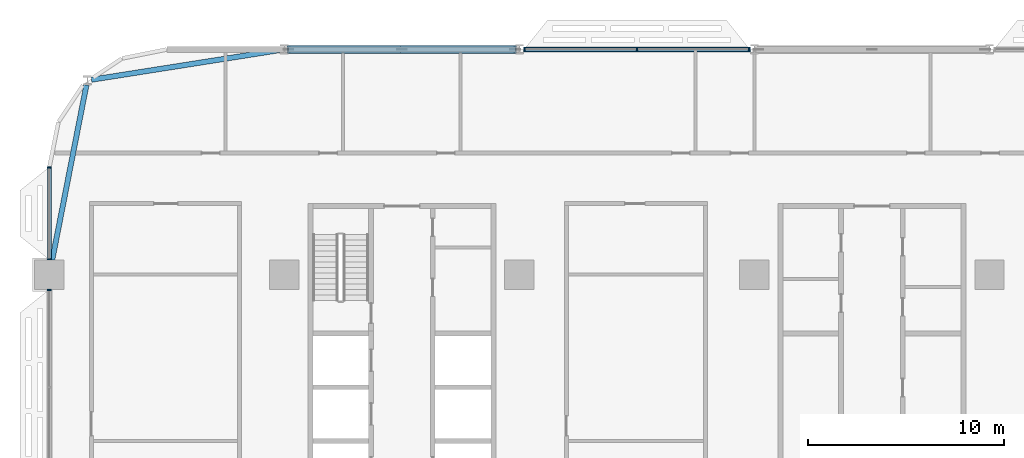
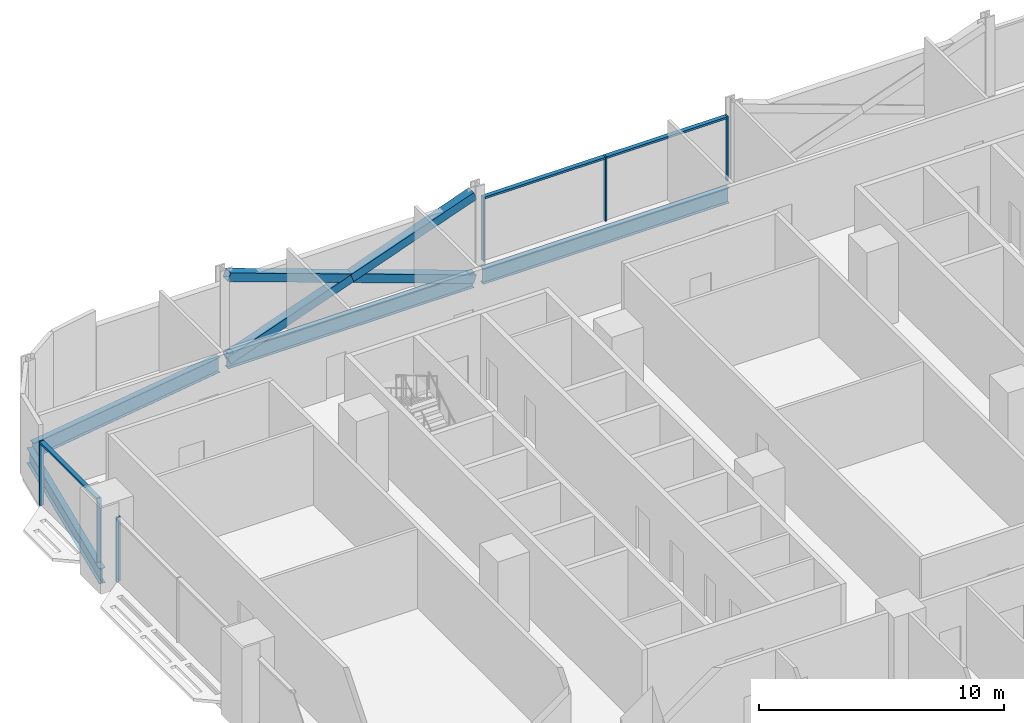
# One storey, part 6 of 29: 12 members, 4 beams, 3 elements without a shape of their own.
"""IFC4 building model written with IfcOpenShell, lengths in metres."""

import ifcopenshell
import ifcopenshell.guid

model = None  # the IFC model being written
_history = None  # IfcOwnerHistory: only IFC2X3 demands one
_inside = {}  # id of a spatial element -> (the spatial element, [elements in it])
_under = {}  # id of a project, library or spatial element -> (it, [spatial elements below it])
_declared = {}  # id of a project -> (the project, [libraries it declares])
_typed = {}  # id of a type object -> (the type object, [elements of that type])
_made_of = {}  # id of a material, layer set ... -> (it, [elements and type objects made of it])


def new_model(schema):
    """Start an empty IFC model of exactly this schema.

    Asked for "IFC4X3", IfcOpenShell would pick the latest addendum, in which some entities
    have other attributes; the version numbers below select the first issue.
    IFC2X3 requires an IfcOwnerHistory on every rooted entity: one is made here for all.
    """
    global model, _history
    if schema == "IFC4X3":
        model = ifcopenshell.file(schema_version=(4, 3, 0, 0))
    else:
        model = ifcopenshell.file(schema=schema)
    _inside.clear()
    _under.clear()
    _declared.clear()
    _typed.clear()
    _made_of.clear()
    _history = None
    if model.schema == "IFC2X3":
        org = make("IfcOrganization", Name="unknown")
        user = make(
            "IfcPersonAndOrganization",
            ThePerson=make("IfcPerson", FamilyName="unknown"),
            TheOrganization=org,
        )
        app = make(
            "IfcApplication",
            ApplicationDeveloper=org,
            Version="unknown",
            ApplicationFullName="unknown",
            ApplicationIdentifier="unknown",
        )
        _history = make(
            "IfcOwnerHistory",
            OwningUser=user,
            OwningApplication=app,
            ChangeAction="ADDED",
            CreationDate=0,
        )
    return model


def make(cls, **values):
    """One entity of the class cls with the attributes given. An attribute that is None is left unset."""
    return model.create_entity(
        cls, **{name: value for name, value in values.items() if value is not None}
    )


def rooted(cls, **values):
    """An entity with a GlobalId (a new one), such as an element, a storey or a relation."""
    return make(cls, GlobalId=ifcopenshell.guid.new(), OwnerHistory=_history, **values)


def si_unit(unit_type, name, prefix=None):
    """IfcSIUnit, for example si_unit("LENGTHUNIT", "METRE", prefix="MILLI")."""
    return make("IfcSIUnit", UnitType=unit_type, Prefix=prefix, Name=name)


def assignment(units):
    """IfcUnitAssignment: the units of a project."""
    return None if units is None else make("IfcUnitAssignment", Units=units)


def point(xyz):
    """IfcCartesianPoint."""
    return None if xyz is None else make("IfcCartesianPoint", Coordinates=xyz)


def direction(xyz):
    """IfcDirection."""
    return None if xyz is None else make("IfcDirection", DirectionRatios=xyz)


def frame(location, z_axis=None, x_axis=None):
    """IfcAxis2Placement3D, a coordinate frame: its origin and axes. An axis left out is left unset."""
    return make(
        "IfcAxis2Placement3D",
        Location=point(location),
        Axis=direction(z_axis),
        RefDirection=direction(x_axis),
    )


def frame_2d(location, x_axis=None):
    """IfcAxis2Placement2D, a coordinate frame in the plane: its origin and x axis."""
    return make(
        "IfcAxis2Placement2D", Location=point(location), RefDirection=direction(x_axis)
    )


def origin():
    """The frame at (0, 0, 0) with its axes left unset."""
    return frame((0.0, 0.0, 0.0))


def origin_2d():
    """The frame at (0, 0) in the plane with its x axis left unset."""
    return frame_2d((0.0, 0.0))


def place(relative_to, where):
    """IfcLocalPlacement: puts the frame where relative to a parent placement (None: the world)."""
    return make(
        "IfcLocalPlacement", PlacementRelTo=relative_to, RelativePlacement=where
    )


def context(
    kind, dimensions, precision=None, world=None, true_north=None, identifier=None
):
    """IfcGeometricRepresentationContext, for example the 3D "Model" context."""
    return make(
        "IfcGeometricRepresentationContext",
        ContextIdentifier=identifier,
        ContextType=kind,
        CoordinateSpaceDimension=dimensions,
        Precision=precision,
        WorldCoordinateSystem=world,
        TrueNorth=true_north,
    )


def subcontext(parent, identifier, kind, view, scale=None):
    """IfcGeometricRepresentationSubContext, for example "Body" below "Model"."""
    return make(
        "IfcGeometricRepresentationSubContext",
        ContextIdentifier=identifier,
        ContextType=kind,
        ParentContext=parent,
        TargetScale=scale,
        TargetView=view,
    )


def project(units=None, contexts=None):
    """IfcProject with its units and contexts."""
    return rooted(
        "IfcProject",
        Name="project",
        RepresentationContexts=contexts,
        UnitsInContext=assignment(units),
    )


def spatial(cls, under=None, at=None, **own):
    """A site, building, storey or space (cls), placed at a placement, below another one or the project."""
    s = rooted(cls, ObjectPlacement=at, **own)
    if under is not None:
        _under.setdefault(under.id(), (under, []))[1].append(s)
    return s


def profile(cls, at=None, kind="AREA", **sizes):
    """A parametric profile (cls). Its sizes go by their IFC names, for example OverallWidth=200.0."""
    return make(cls, ProfileType=kind, Position=at, **sizes)


def rectangle(**sizes):
    """IfcRectangleProfileDef."""
    return profile("IfcRectangleProfileDef", **sizes)


def hollow_rectangle(**sizes):
    """IfcRectangleHollowProfileDef."""
    return profile("IfcRectangleHollowProfileDef", **sizes)


def i_section(**sizes):
    """IfcIShapeProfileDef."""
    return profile("IfcIShapeProfileDef", **sizes)


def extrude(swept, where, along, depth):
    """IfcExtrudedAreaSolid: the profile swept, set in the frame where, extruded along a direction by depth."""
    return make(
        "IfcExtrudedAreaSolid",
        SweptArea=swept,
        Position=where,
        ExtrudedDirection=direction(along),
        Depth=depth,
    )


def shape(context_of_items, identifier, shape_type, items):
    """IfcShapeRepresentation: the items that make up one representation, for example the "Body"."""
    return make(
        "IfcShapeRepresentation",
        ContextOfItems=context_of_items,
        RepresentationIdentifier=identifier,
        RepresentationType=shape_type,
        Items=items,
    )


def material(Name=None, Category=None):
    """IfcMaterial."""
    return make("IfcMaterial", Name=Name, Category=Category)


def material_profile(
    of_material, cross_section, Name=None, Category=None, Priority=None
):
    """IfcMaterialProfile: a cross section and its material."""
    return make(
        "IfcMaterialProfile",
        Name=Name,
        Material=of_material,
        Profile=cross_section,
        Priority=Priority,
        Category=Category,
    )


def profile_set(profiles, Name=None, composite=None):
    """IfcMaterialProfileSet."""
    return make(
        "IfcMaterialProfileSet",
        Name=Name,
        MaterialProfiles=profiles,
        CompositeProfile=composite,
    )


def made_of(thing, what):
    """Note that an element or type object is made of a material, layer set ...; save() writes the relation."""
    if what is not None:
        _made_of.setdefault(what.id(), (what, []))[1].append(thing)
    return thing


def type_object(cls, material=None, **own):
    """A type object (cls), such as IfcWallType, which elements share."""
    return made_of(rooted(cls, **own), material)


def element(
    cls,
    number,
    at=None,
    inside=None,
    cuts=None,
    type_object=None,
    material=None,
    context=None,
    identifier="Body",
    shape_type=None,
    held_by="IfcProductDefinitionShape",
    body=None,
    shapes=None,
    **own,
):
    """One element of the class cls, such as IfcWall. Its Tag is "e" and its number.

    at: its placement. inside: the storey or other place that contains it. cuts: it is an
    opening in that element (IfcRelVoidsElement). A single representation is given by context,
    identifier, shape_type and body (its items); several are given by shapes. held_by: the class
    of the entity that holds the representations. save() writes the other relations.
    """
    e = rooted(cls, Tag="e%d" % number, ObjectPlacement=at, **own)
    if body is not None:
        shapes = [shape(context, identifier, shape_type, body)]
    if shapes is not None:
        e.Representation = make(held_by, Representations=shapes)
    if inside is not None:
        _inside.setdefault(inside.id(), (inside, []))[1].append(e)
    if cuts is not None:
        rooted(
            "IfcRelVoidsElement", RelatingBuildingElement=cuts, RelatedOpeningElement=e
        )
    if type_object is not None:
        _typed.setdefault(type_object.id(), (type_object, []))[1].append(e)
    return made_of(e, material)


def aggregate(whole, parts):
    """IfcRelAggregates: a whole, such as a stair, and the parts it consists of."""
    return rooted("IfcRelAggregates", RelatingObject=whole, RelatedObjects=parts)


def save(model, path):
    """Write the relations noted so far, then the file.

    IfcRelAggregates (storeys below a building ...), IfcRelContainedInSpatialStructure (elements
    in a storey), IfcRelDefinesByType, IfcRelAssociatesMaterial and IfcRelDeclares: one each for
    every whole, place, type object, material and project.
    """
    for whole, parts in _under.values():
        aggregate(whole, parts)
    for where, things in _inside.values():
        rooted(
            "IfcRelContainedInSpatialStructure",
            RelatedElements=things,
            RelatingStructure=where,
        )
    for kind, things in _typed.values():
        rooted("IfcRelDefinesByType", RelatedObjects=things, RelatingType=kind)
    for what, things in _made_of.values():
        rooted("IfcRelAssociatesMaterial", RelatedObjects=things, RelatingMaterial=what)
    for by, libraries in _declared.values():
        rooted("IfcRelDeclares", RelatingContext=by, RelatedDefinitions=libraries)
    model.write(path)


model = new_model("IFC4")

# Units and contexts
model_context = context("Model", 3, precision=1e-05, world=origin(), true_north=direction((0.0, 1.0)))
body_context = subcontext(model_context, "Body", "Model", "MODEL_VIEW")
ifc_project = project(units=[si_unit("LENGTHUNIT", "METRE"), si_unit("AREAUNIT", "SQUARE_METRE"), si_unit("VOLUMEUNIT", "CUBIC_METRE"), si_unit("PLANEANGLEUNIT", "RADIAN"), si_unit("MASSUNIT", "GRAM", prefix="KILO")], contexts=[model_context])

# Site, building, storey
site_placement = place(None, origin())
site = spatial("IfcSite", under=ifc_project, at=site_placement, CompositionType="ELEMENT")
building_placement = place(site_placement, origin())
building = spatial("IfcBuilding", under=site, at=building_placement, Name="Mahtab Terrace Research Tower", CompositionType="ELEMENT")
storey_placement = place(building_placement, frame((0.0, 0.0, 58.89990234375)))
storey = spatial("IfcBuildingStorey", under=building, at=storey_placement, Name="L13", CompositionType="ELEMENT", Elevation=58.89990234375)

# Members
ifc_material_1 = material(Name="Steel ASTM A500 Gr C", Category="steel")
ifc_material_profile_1 = material_profile(ifc_material_1, hollow_rectangle(XDim=0.406494140625, YDim=0.406494140625, WallThickness=0.01904296875, at=origin_2d()), Name="HSS16X16X3/4")
ifc_profile_set_1 = profile_set([ifc_material_profile_1], Name="Steel ASTM A500 Gr C")
member_type_1 = type_object("IfcMemberType", Name="HSS 16x16x3/4 brace XB161634", PredefinedType="BRACE", material=ifc_profile_set_1)
member_1_placement = place(storey_placement, frame((-18.212158203125, 23.0, -0.642333984375), z_axis=(-0.941386519928, 0.0, 0.337329838731), x_axis=(0.0, -1.0, 0.0)))
element("IfcMember", 1, at=member_1_placement, inside=storey, type_object=member_type_1, Name="Exoskeleton brace L13 07 a", PredefinedType="BRACE", context=body_context, shape_type="SweptSolid", body=[
    extrude(hollow_rectangle(XDim=0.406494140625, YDim=0.406494140625, WallThickness=0.01904296875, at=origin_2d()), origin(), (0.0, 0.0, 1.0), 12.29638671875),
])
for number, where, z_axis, x_axis, name in (
    (2, (-29.787841796875, 23.0, -0.642333984375), (0.941386519928, 0.0, 0.337329838731), (0.0, 1.0, 0.0), "Exoskeleton brace L13 07 b1"),
    (3, (-24.0, 23.0, 1.431640625), (0.941386519928, 0.0, 0.337329838731), (0.0, 1.0, 0.0), "Exoskeleton brace L13 07 b2"),
):
    element("IfcMember", number, at=place(storey_placement, frame(where, z_axis=z_axis, x_axis=x_axis)), inside=storey, type_object=member_type_1, Name=name, PredefinedType="BRACE", context=body_context, shape_type="SweptSolid", body=[
        extrude(hollow_rectangle(XDim=0.406494140625, YDim=0.406494140625, WallThickness=0.01904296875, at=origin_2d()), origin(), (0.0, 0.0, 1.0), 6.148193359375),
    ])

# Curtain wall, members
ifc_material_2 = material(Name="Laboratory ribbon curtain wall")
curtain_wall_type = type_object("IfcCurtainWallType", Name="Laboratory ribbon curtain wall", PredefinedType="NOTDEFINED", material=ifc_material_2)
curtain_wall_1_placement = place(storey_placement, origin())
curtain_wall_1 = element("IfcCurtainWall", 4, at=curtain_wall_1_placement, inside=storey, type_object=curtain_wall_type, Name="EN.L13.3.8", PredefinedType="NOTDEFINED")
ifc_material_3 = material(Name="Natural anodised aluminium", Category="aluminium")
ifc_material_profile_2 = material_profile(ifc_material_3, rectangle(XDim=0.199951171875, YDim=0.06494140625, at=origin_2d()), Name="MULLION 65x200")
ifc_profile_set_2 = profile_set([ifc_material_profile_2], Name="Natural anodised aluminium")
member_type_2 = type_object("IfcMemberType", Name="Laboratory ribbon curtain wall mullion", PredefinedType="MULLION", material=ifc_profile_set_2)
member_2_placement = place(storey_placement, frame((-6.2705078125, 23.0, 0.0), z_axis=(0.0, 0.0, 1.0), x_axis=(0.0, -1.0, 0.0)))
member_2 = element("IfcMember", 5, at=member_2_placement, type_object=member_type_2, Name="CWL-2 mullion 1", PredefinedType="MULLION", context=body_context, shape_type="SweptSolid", body=[
    extrude(rectangle(XDim=0.199951171875, YDim=0.06494140625, at=origin_2d()), origin(), (0.0, 0.0, 1.0), 3.203125),
])
member_3_placement = place(storey_placement, frame((-12.0, 23.0, 0.0), z_axis=(0.0, 0.0, 1.0), x_axis=(0.0, -1.0, 0.0)))
member_3 = element("IfcMember", 6, at=member_3_placement, type_object=member_type_2, Name="CWL-2 mullion 2", PredefinedType="MULLION", context=body_context, shape_type="SweptSolid", body=[
    extrude(rectangle(XDim=0.199951171875, YDim=0.06494140625, at=origin_2d()), origin(), (0.0, 0.0, 1.0), 3.203125),
])
member_4_placement = place(storey_placement, frame((-17.7294921875, 23.0, 0.0), z_axis=(0.0, 0.0, 1.0), x_axis=(0.0, -1.0, 0.0)))
member_4 = element("IfcMember", 7, at=member_4_placement, type_object=member_type_2, Name="CWL-2 mullion 3", PredefinedType="MULLION", context=body_context, shape_type="SweptSolid", body=[
    extrude(rectangle(XDim=0.199951171875, YDim=0.06494140625, at=origin_2d()), origin(), (0.0, 0.0, 1.0), 3.203125),
])

curtain_wall_2_placement = place(storey_placement, origin())
curtain_wall_2 = element("IfcCurtainWall", 8, at=curtain_wall_2_placement, inside=storey, type_object=curtain_wall_type, Name="EN.L13.8.15", PredefinedType="NOTDEFINED")
member_5_placement = place(storey_placement, frame((-42.0, 16.967529296875, 0.0), z_axis=(0.0, 0.0, 1.0), x_axis=(1.0, 0.0, 0.0)))
member_5 = element("IfcMember", 9, at=member_5_placement, type_object=member_type_2, Name="CWL-2 mullion 1", PredefinedType="MULLION", context=body_context, shape_type="SweptSolid", body=[
    extrude(rectangle(XDim=0.199951171875, YDim=0.06494140625, at=origin_2d()), origin(), (0.0, 0.0, 1.0), 3.203125),
])
member_6_placement = place(storey_placement, frame((-42.0, 12.282470703125, 0.0), z_axis=(0.0, 0.0, 1.0), x_axis=(1.0, 0.0, 0.0)))
member_6 = element("IfcMember", 10, at=member_6_placement, type_object=member_type_2, Name="CWL-2 mullion 2", PredefinedType="MULLION", context=body_context, shape_type="SweptSolid", body=[
    extrude(rectangle(XDim=0.199951171875, YDim=0.06494140625, at=origin_2d()), origin(), (0.0, 0.0, 1.0), 3.203125),
])

# Curtain wall, member
curtain_wall_3_placement = place(storey_placement, origin())
curtain_wall_3 = element("IfcCurtainWall", 11, at=curtain_wall_3_placement, inside=storey, type_object=curtain_wall_type, Name="EN.L13.8.16", PredefinedType="NOTDEFINED")
member_7_placement = place(storey_placement, frame((-42.0, 10.717529296875, 0.0), z_axis=(0.0, 0.0, 1.0), x_axis=(1.0, 0.0, 0.0)))
member_7 = element("IfcMember", 12, at=member_7_placement, type_object=member_type_2, Name="CWL-2 mullion 1", PredefinedType="MULLION", context=body_context, shape_type="SweptSolid", body=[
    extrude(rectangle(XDim=0.199951171875, YDim=0.06494140625, at=origin_2d()), origin(), (0.0, 0.0, 1.0), 3.203125),
])
aggregate(curtain_wall_3, [member_7])

# Member
ifc_material_profile_3 = material_profile(ifc_material_3, rectangle(XDim=0.199951171875, YDim=0.10009765625, at=origin_2d()), Name="TRANSOM 100x200")
ifc_profile_set_3 = profile_set([ifc_material_profile_3], Name="Natural anodised aluminium")
member_type_3 = type_object("IfcMemberType", Name="Laboratory ribbon curtain wall transom", PredefinedType="USERDEFINED", material=ifc_profile_set_3)
member_8_placement = place(storey_placement, frame((-6.302978515625, 23.0, 3.153076171875), z_axis=(-1.0, 0.0, 0.0), x_axis=(0.0, -1.0, 0.0)))
member_8 = element("IfcMember", 13, at=member_8_placement, type_object=member_type_3, Name="CWL-2 transom 1", ObjectType="TRANSOM", PredefinedType="USERDEFINED", context=body_context, shape_type="SweptSolid", body=[
    extrude(rectangle(XDim=0.199951171875, YDim=0.10009765625, at=origin_2d()), origin(), (0.0, 0.0, 1.0), 5.66455078125),
])

member_9_placement = place(storey_placement, frame((-12.032470703125, 23.0, 3.153076171875), z_axis=(-1.0, 0.0, 0.0), x_axis=(0.0, -1.0, 0.0)))
member_9 = element("IfcMember", 14, at=member_9_placement, type_object=member_type_3, Name="CWL-2 transom 2", ObjectType="TRANSOM", PredefinedType="USERDEFINED", context=body_context, shape_type="SweptSolid", body=[
    extrude(rectangle(XDim=0.199951171875, YDim=0.10009765625, at=origin_2d()), origin(), (0.0, 0.0, 1.0), 5.66455078125),
])

aggregate(curtain_wall_1, [member_2, member_3, member_4, member_8, member_9])

member_10_placement = place(storey_placement, frame((-42.0, 16.93505859375, 3.153076171875), z_axis=(0.0, -1.0, 0.0), x_axis=(1.0, 0.0, 0.0)))
member_10 = element("IfcMember", 15, at=member_10_placement, type_object=member_type_3, Name="CWL-2 transom 1", ObjectType="TRANSOM", PredefinedType="USERDEFINED", context=body_context, shape_type="SweptSolid", body=[
    extrude(rectangle(XDim=0.199951171875, YDim=0.10009765625, at=origin_2d()), origin(), (0.0, 0.0, 1.0), 4.6201171875),
])

aggregate(curtain_wall_2, [member_5, member_6, member_10])

# Beams
ifc_material_4 = material(Name="Steel ASTM A992 Gr 50", Category="steel")
ifc_material_profile_4 = material_profile(ifc_material_4, i_section(OverallWidth=0.2666015625, OverallDepth=0.7568359375, WebThickness=0.013916015625, FlangeThickness=0.019287109375, at=origin_2d()), Name="W30X108")
ifc_profile_set_4 = profile_set([ifc_material_profile_4], Name="Steel ASTM A992 Gr 50")
beam_type = type_object("IfcBeamType", Name="W30x108 beam BS30108", PredefinedType="BEAM", material=ifc_profile_set_4)
for number, where, z_axis, x_axis, name in (
    (16, (-6.212158203125, 23.0, -0.71826171875), (-1.0, 0.0, 0.0), (0.0, -1.0, 0.0), "Spandrel beam L13 06"),
    (17, (-18.212158203125, 23.0, -0.71826171875), (-1.0, 0.0, 0.0), (0.0, -1.0, 0.0), "Spandrel beam L13 07"),
):
    element("IfcBeam", number, at=place(storey_placement, frame(where, z_axis=z_axis, x_axis=x_axis)), inside=storey, type_object=beam_type, Name=name, PredefinedType="BEAM", context=body_context, shape_type="SweptSolid", body=[
        extrude(i_section(OverallWidth=0.2666015625, OverallDepth=0.7568359375, WebThickness=0.013916015625, FlangeThickness=0.019287109375, at=origin_2d()), origin(), (0.0, 0.0, 1.0), 11.57568359375),
    ])
beam_1_placement = place(storey_placement, frame((-30.212158203125, 22.966552734375, -0.71826171875), z_axis=(-0.987836303792, -0.155497385545, 0.0), x_axis=(0.155497385545, -0.987836303792, 0.0)))
element("IfcBeam", 18, at=beam_1_placement, inside=storey, type_object=beam_type, Name="Spandrel beam L13 08", PredefinedType="BEAM", context=body_context, shape_type="SweptSolid", body=[
    extrude(i_section(OverallWidth=0.2666015625, OverallDepth=0.7568359375, WebThickness=0.013916015625, FlangeThickness=0.019287109375, at=origin_2d()), origin(), (0.0, 0.0, 1.0), 9.75634765625),
])
beam_2_placement = place(storey_placement, frame((-40.1083984375, 21.178466796875, -0.71826171875), z_axis=(-0.191825617976, -0.981429025599, 0.0), x_axis=(0.981429025599, -0.191825617976, 0.0)))
element("IfcBeam", 19, at=beam_2_placement, inside=storey, type_object=beam_type, Name="Spandrel beam L13 09", PredefinedType="BEAM", context=body_context, shape_type="SweptSolid", body=[
    extrude(i_section(OverallWidth=0.2666015625, OverallDepth=0.7568359375, WebThickness=0.013916015625, FlangeThickness=0.019287109375, at=origin_2d()), origin(), (0.0, 0.0, 1.0), 9.097412109375),
])

save(model, "model.ifc")
